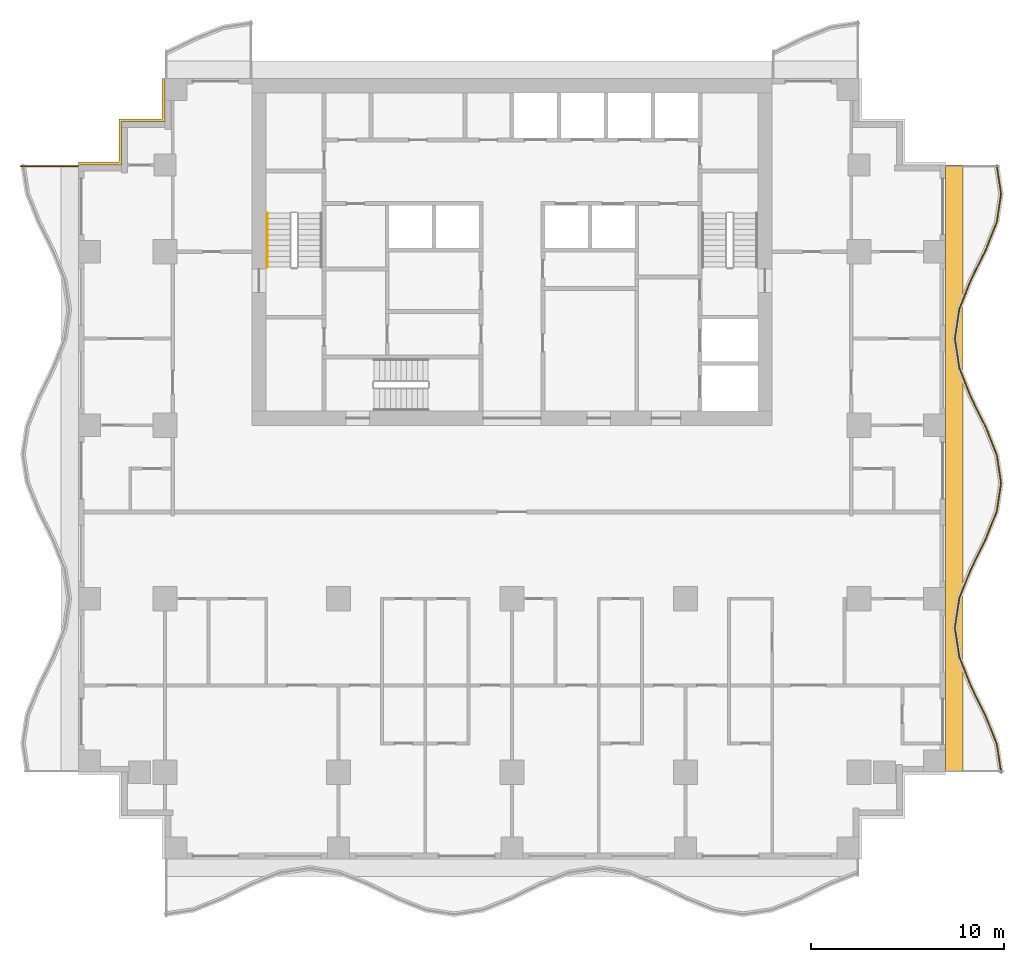
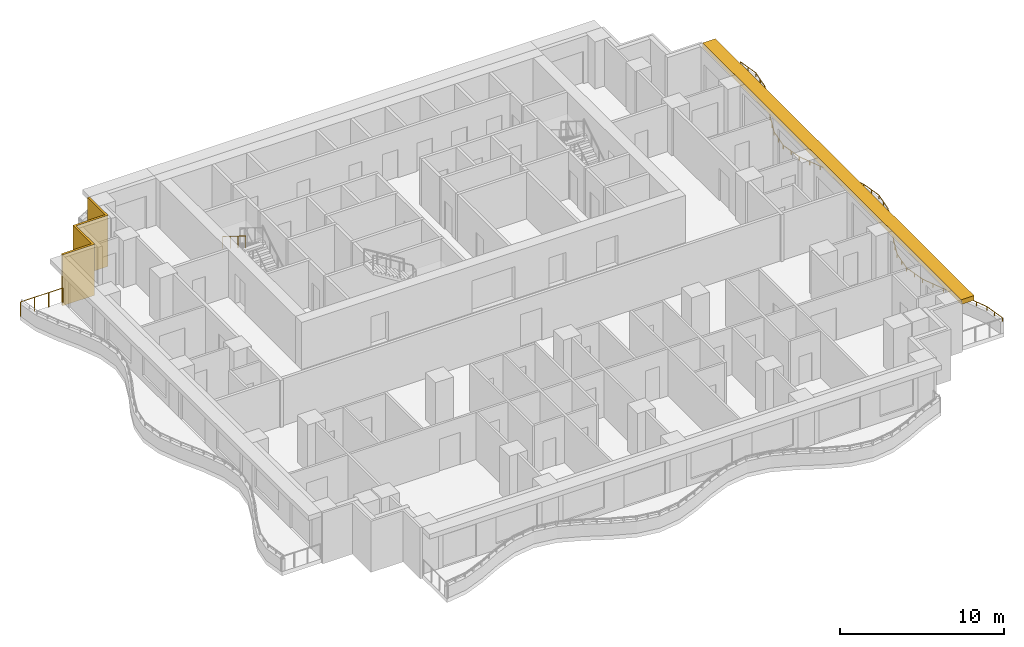
# One storey, part 9 of 10: 3 railings, 2 shading devices.
"""IFC4 building model written with IfcOpenShell, lengths in metres."""

from ifc_helpers import new_model, si_unit, direction, frame, origin, origin_2d, place, context, subcontext, project, spatial, polyline, rectangle, circle, outline, extrude, material, layer, layer_set, type_object, element, save


model = new_model("IFC4")

# Units and contexts
model_context = context("Model", 3, precision=1e-05, world=origin(), true_north=direction((0.0, 1.0)))
body_context = subcontext(model_context, "Body", "Model", "MODEL_VIEW")
ifc_project = project(units=[si_unit("LENGTHUNIT", "METRE"), si_unit("AREAUNIT", "SQUARE_METRE"), si_unit("VOLUMEUNIT", "CUBIC_METRE"), si_unit("PLANEANGLEUNIT", "RADIAN"), si_unit("MASSUNIT", "GRAM", prefix="KILO")], contexts=[model_context])

# Site, building, storey
site_placement = place(None, origin())
site = spatial("IfcSite", under=ifc_project, at=site_placement, CompositionType="ELEMENT")
building_placement = place(site_placement, origin())
building = spatial("IfcBuilding", under=site, at=building_placement, Name="Orbiselva Terraces", CompositionType="ELEMENT")
storey_placement = place(building_placement, frame((0.0, 0.0, 151.6)))
storey = spatial("IfcBuildingStorey", under=building, at=storey_placement, Name="L38", CompositionType="ELEMENT", Elevation=151.6)

# Railings
ifc_material_1 = material(Name="Stainless steel", Category="steel")
railing_type_1 = type_object("IfcRailingType", Name="CORE-HANDRAIL-900", PredefinedType="HANDRAIL", material=ifc_material_1)
railing_1_placement = place(storey_placement, frame((-12.7, 15.5, 2.072727)))
element("IfcRailing", 1, at=railing_1_placement, inside=storey, type_object=railing_type_1, Name="L38 S1 stair handrail 2", PredefinedType="HANDRAIL", context=body_context, shape_type="SweptSolid", body=[
    extrude(circle(Radius=0.024, at=origin_2d()), frame((0.0, 0.0, 0.876), z_axis=(0.0, -0.851088519012, 0.52502222125), x_axis=(1.0, 0.0, 0.0)), (0.0, 0.0, 1.0), 3.289905),
    extrude(circle(Radius=0.021, at=origin_2d()), origin(), (0.0, 0.0, 1.0), 0.852),
    extrude(circle(Radius=0.021, at=origin_2d()), frame((0.0, -0.933333, 0.575758)), (0.0, 0.0, 1.0), 0.852),
    extrude(circle(Radius=0.021, at=origin_2d()), frame((0.0, -1.866667, 1.151515)), (0.0, 0.0, 1.0), 0.852),
    extrude(circle(Radius=0.021, at=origin_2d()), frame((0.0, -2.8, 1.727273)), (0.0, 0.0, 1.0), 0.852),
])
ifc_material_2 = material(Name="Bonded two-ply safety glass balustrade, stainless steel posts", Category="steel")
railing_type_2 = type_object("IfcRailingType", Name="ENV-BALUSTRADE-1200", PredefinedType="BALUSTRADE", material=ifc_material_2)
railing_2_placement = place(storey_placement, frame((25.376434, -13.518879, 0.9)))
element("IfcRailing", 2, at=railing_2_placement, inside=storey, type_object=railing_type_2, Name="Balcony balustrade L38 E", PredefinedType="BALUSTRADE", context=body_context, shape_type="SweptSolid", body=[
    extrude(outline(polyline([(0.028868, 0.0), (0.014434, 0.025), (-0.014434, 0.025), (-0.028868, 0.0), (-0.014434, -0.025), (0.014434, -0.025), (0.028868, 0.0)])), frame((0.0, 0.0, 0.275), z_axis=(-0.151034103443, 0.988528552748, 0.0), x_axis=(-0.988528552748, -0.151034103443, 0.0)), (0.0, 0.0, 1.0), 1.503038),
    extrude(outline(polyline([(0.028868, 0.0), (0.014434, 0.025), (-0.014434, 0.025), (-0.028868, 0.0), (-0.014434, -0.025), (0.014434, -0.025), (0.028868, 0.0)])), frame((-0.22701, 1.485796, 0.275), z_axis=(-0.371391000387, 0.928476561272, 0.0), x_axis=(-0.928476561272, -0.371391000387, 0.0)), (0.0, 0.0, 1.0), 1.596261),
    extrude(outline(polyline([(0.028868, 0.0), (0.014434, 0.025), (-0.014434, 0.025), (-0.028868, 0.0), (-0.014434, -0.025), (0.014434, -0.025), (0.028868, 0.0)])), frame((-0.819847, 2.967887, 0.275), z_axis=(-0.443212307306, 0.896416672454, 0.0), x_axis=(-0.896416672454, -0.443212307306, 0.0)), (0.0, 0.0, 1.0), 1.673329),
    extrude(outline(polyline([(0.028868, 0.0), (0.014434, 0.025), (-0.014434, 0.025), (-0.028868, 0.0), (-0.014434, -0.025), (0.014434, -0.025), (0.028868, 0.0)])), frame((-1.561487, 4.467887, 0.275), z_axis=(-0.371390359967, 0.92847681744, 0.0), x_axis=(-0.92847681744, -0.371390359967, 0.0)), (0.0, 0.0, 1.0), 1.634838),
    extrude(outline(polyline([(0.028868, 0.0), (0.014434, 0.025), (-0.014434, 0.025), (-0.028868, 0.0), (-0.014434, -0.025), (0.014434, -0.025), (0.028868, 0.0)])), frame((-2.16865, 5.985796, 0.275), z_axis=(-0.151034211256, 0.988528536275, 0.0), x_axis=(-0.988528536275, -0.151034211256, 0.0)), (0.0, 0.0, 1.0), 1.550874),
    extrude(outline(polyline([(0.028868, 0.0), (0.014434, 0.025), (-0.014434, 0.025), (-0.028868, 0.0), (-0.014434, -0.025), (0.014434, -0.025), (0.028868, 0.0)])), frame((-2.402885, 7.518879, 0.275), z_axis=(0.151034211256, 0.988528536275, 0.0), x_axis=(-0.988528536275, 0.151034211256, 0.0)), (0.0, 0.0, 1.0), 1.550874),
    extrude(outline(polyline([(0.028868, 0.0), (0.014434, 0.025), (-0.014434, 0.025), (-0.028868, 0.0), (-0.014434, -0.025), (0.014434, -0.025), (0.028868, 0.0)])), frame((-2.16865, 9.051962, 0.275), z_axis=(0.371390359967, 0.92847681744, 0.0), x_axis=(-0.92847681744, 0.371390359967, 0.0)), (0.0, 0.0, 1.0), 1.634838),
    extrude(outline(polyline([(0.028868, 0.0), (0.014434, 0.025), (-0.014434, 0.025), (-0.028868, 0.0), (-0.014434, -0.025), (0.014434, -0.025), (0.028868, 0.0)])), frame((-1.561487, 10.569871, 0.275), z_axis=(0.443212307306, 0.896416672454, 0.0), x_axis=(-0.896416672454, 0.443212307306, 0.0)), (0.0, 0.0, 1.0), 1.673329),
    extrude(outline(polyline([(0.028868, 0.0), (0.014434, 0.025), (-0.014434, 0.025), (-0.028868, 0.0), (-0.014434, -0.025), (0.014434, -0.025), (0.028868, 0.0)])), frame((-0.819847, 12.069871, 0.275), z_axis=(0.371391000387, 0.928476561272, 0.0), x_axis=(-0.928476561272, 0.371391000387, 0.0)), (0.0, 0.0, 1.0), 1.596261),
    extrude(outline(polyline([(0.028868, 0.0), (0.014434, 0.025), (-0.014434, 0.025), (-0.028868, 0.0), (-0.014434, -0.025), (0.014434, -0.025), (0.028868, 0.0)])), frame((-0.22701, 13.551962, 0.275), z_axis=(0.151033749027, 0.988528606898, 0.0), x_axis=(-0.988528606898, 0.151033749027, 0.0)), (0.0, 0.0, 1.0), 1.48394),
    extrude(outline(polyline([(0.028868, 0.0), (0.014434, 0.025), (-0.014434, 0.025), (-0.028868, 0.0), (-0.014434, -0.025), (0.014434, -0.025), (0.028868, 0.0)])), frame((-0.002885, 15.018879, 0.275), z_axis=(-0.151033749027, 0.988528606898, 0.0), x_axis=(-0.988528606898, -0.151033749027, 0.0)), (0.0, 0.0, 1.0), 1.48394),
    extrude(outline(polyline([(0.028868, 0.0), (0.014434, 0.025), (-0.014434, 0.025), (-0.028868, 0.0), (-0.014434, -0.025), (0.014434, -0.025), (0.028868, 0.0)])), frame((-0.22701, 16.485796, 0.275), z_axis=(-0.371391000387, 0.928476561272, 0.0), x_axis=(-0.928476561272, -0.371391000387, 0.0)), (0.0, 0.0, 1.0), 1.596261),
    extrude(outline(polyline([(0.028868, 0.0), (0.014434, 0.025), (-0.014434, 0.025), (-0.028868, 0.0), (-0.014434, -0.025), (0.014434, -0.025), (0.028868, 0.0)])), frame((-0.819847, 17.967887, 0.275), z_axis=(-0.443212307306, 0.896416672454, 0.0), x_axis=(-0.896416672454, -0.443212307306, 0.0)), (0.0, 0.0, 1.0), 1.673329),
    extrude(outline(polyline([(0.028868, 0.0), (0.014434, 0.025), (-0.014434, 0.025), (-0.028868, 0.0), (-0.014434, -0.025), (0.014434, -0.025), (0.028868, 0.0)])), frame((-1.561487, 19.467887, 0.275), z_axis=(-0.371390359967, 0.92847681744, 0.0), x_axis=(-0.92847681744, -0.371390359967, 0.0)), (0.0, 0.0, 1.0), 1.634838),
    extrude(outline(polyline([(0.028868, 0.0), (0.014434, 0.025), (-0.014434, 0.025), (-0.028868, 0.0), (-0.014434, -0.025), (0.014434, -0.025), (0.028868, 0.0)])), frame((-2.16865, 20.985796, 0.275), z_axis=(-0.151034211256, 0.988528536275, 0.0), x_axis=(-0.988528536275, -0.151034211256, 0.0)), (0.0, 0.0, 1.0), 1.550874),
    extrude(outline(polyline([(0.028868, 0.0), (0.014434, 0.025), (-0.014434, 0.025), (-0.028868, 0.0), (-0.014434, -0.025), (0.014434, -0.025), (0.028868, 0.0)])), frame((-2.402885, 22.518879, 0.275), z_axis=(0.151034211256, 0.988528536275, 0.0), x_axis=(-0.988528536275, 0.151034211256, 0.0)), (0.0, 0.0, 1.0), 1.550874),
    extrude(outline(polyline([(0.028868, 0.0), (0.014434, 0.025), (-0.014434, 0.025), (-0.028868, 0.0), (-0.014434, -0.025), (0.014434, -0.025), (0.028868, 0.0)])), frame((-2.16865, 24.051962, 0.275), z_axis=(0.371390359967, 0.92847681744, 0.0), x_axis=(-0.92847681744, 0.371390359967, 0.0)), (0.0, 0.0, 1.0), 1.634838),
    extrude(outline(polyline([(0.028868, 0.0), (0.014434, 0.025), (-0.014434, 0.025), (-0.028868, 0.0), (-0.014434, -0.025), (0.014434, -0.025), (0.028868, 0.0)])), frame((-1.561487, 25.569871, 0.275), z_axis=(0.443212307306, 0.896416672454, 0.0), x_axis=(-0.896416672454, 0.443212307306, 0.0)), (0.0, 0.0, 1.0), 1.673329),
    extrude(outline(polyline([(0.028868, 0.0), (0.014434, 0.025), (-0.014434, 0.025), (-0.028868, 0.0), (-0.014434, -0.025), (0.014434, -0.025), (0.028868, 0.0)])), frame((-0.819847, 27.069871, 0.275), z_axis=(0.371391000387, 0.928476561272, 0.0), x_axis=(-0.928476561272, 0.371391000387, 0.0)), (0.0, 0.0, 1.0), 1.596261),
    extrude(outline(polyline([(0.028868, 0.0), (0.014434, 0.025), (-0.014434, 0.025), (-0.028868, 0.0), (-0.014434, -0.025), (0.014434, -0.025), (0.028868, 0.0)])), frame((-0.22701, 28.551962, 0.275), z_axis=(0.151033749027, 0.988528606898, 0.0), x_axis=(-0.988528606898, 0.151033749027, 0.0)), (0.0, 0.0, 1.0), 1.48394),
    extrude(outline(polyline([(0.028868, 0.0), (0.014434, 0.025), (-0.014434, 0.025), (-0.028868, 0.0), (-0.014434, -0.025), (0.014434, -0.025), (0.028868, 0.0)])), frame((-0.002885, 30.018879, 0.275), z_axis=(-0.151033632714, 0.988528624669, 0.0), x_axis=(-0.988528624669, -0.151033632714, 0.0)), (0.0, 0.0, 1.0), 1.498309),
    extrude(rectangle(XDim=0.05, YDim=0.05, at=origin_2d()), origin(), (0.0, 0.0, 1.0), 0.25),
    extrude(rectangle(XDim=0.05, YDim=0.05, at=origin_2d()), frame((-0.113505, 0.742898, 0.0)), (0.0, 0.0, 1.0), 0.25),
    extrude(rectangle(XDim=0.05, YDim=0.05, at=origin_2d()), frame((-0.22701, 1.485796, 0.0)), (0.0, 0.0, 1.0), 0.25),
    extrude(rectangle(XDim=0.05, YDim=0.05, at=origin_2d()), frame((-0.523428, 2.226842, 0.0)), (0.0, 0.0, 1.0), 0.25),
    extrude(rectangle(XDim=0.05, YDim=0.05, at=origin_2d()), frame((-0.819847, 2.967887, 0.0)), (0.0, 0.0, 1.0), 0.25),
    extrude(rectangle(XDim=0.05, YDim=0.05, at=origin_2d()), frame((-1.190667, 3.717887, 0.0)), (0.0, 0.0, 1.0), 0.25),
    extrude(rectangle(XDim=0.05, YDim=0.05, at=origin_2d()), frame((-1.561487, 4.467887, 0.0)), (0.0, 0.0, 1.0), 0.25),
    extrude(rectangle(XDim=0.05, YDim=0.05, at=origin_2d()), frame((-1.865068, 5.226841, 0.0)), (0.0, 0.0, 1.0), 0.25),
    extrude(rectangle(XDim=0.05, YDim=0.05, at=origin_2d()), frame((-2.16865, 5.985796, 0.0)), (0.0, 0.0, 1.0), 0.25),
    extrude(rectangle(XDim=0.05, YDim=0.05, at=origin_2d()), frame((-2.285768, 6.752337, 0.0)), (0.0, 0.0, 1.0), 0.25),
    extrude(rectangle(XDim=0.05, YDim=0.05, at=origin_2d()), frame((-2.402885, 7.518879, 0.0)), (0.0, 0.0, 1.0), 0.25),
    extrude(rectangle(XDim=0.05, YDim=0.05, at=origin_2d()), frame((-2.285768, 8.285421, 0.0)), (0.0, 0.0, 1.0), 0.25),
    extrude(rectangle(XDim=0.05, YDim=0.05, at=origin_2d()), frame((-2.16865, 9.051962, 0.0)), (0.0, 0.0, 1.0), 0.25),
    extrude(rectangle(XDim=0.05, YDim=0.05, at=origin_2d()), frame((-1.865068, 9.810916, 0.0)), (0.0, 0.0, 1.0), 0.25),
    extrude(rectangle(XDim=0.05, YDim=0.05, at=origin_2d()), frame((-1.561487, 10.569871, 0.0)), (0.0, 0.0, 1.0), 0.25),
    extrude(rectangle(XDim=0.05, YDim=0.05, at=origin_2d()), frame((-1.190667, 11.319871, 0.0)), (0.0, 0.0, 1.0), 0.25),
    extrude(rectangle(XDim=0.05, YDim=0.05, at=origin_2d()), frame((-0.819847, 12.069871, 0.0)), (0.0, 0.0, 1.0), 0.25),
    extrude(rectangle(XDim=0.05, YDim=0.05, at=origin_2d()), frame((-0.523428, 12.810916, 0.0)), (0.0, 0.0, 1.0), 0.25),
    extrude(rectangle(XDim=0.05, YDim=0.05, at=origin_2d()), frame((-0.22701, 13.551962, 0.0)), (0.0, 0.0, 1.0), 0.25),
    extrude(rectangle(XDim=0.05, YDim=0.05, at=origin_2d()), frame((-0.114947, 14.28542, 0.0)), (0.0, 0.0, 1.0), 0.25),
    extrude(rectangle(XDim=0.05, YDim=0.05, at=origin_2d()), frame((-0.002885, 15.018879, 0.0)), (0.0, 0.0, 1.0), 0.25),
    extrude(rectangle(XDim=0.05, YDim=0.05, at=origin_2d()), frame((-0.114947, 15.752338, 0.0)), (0.0, 0.0, 1.0), 0.25),
    extrude(rectangle(XDim=0.05, YDim=0.05, at=origin_2d()), frame((-0.22701, 16.485796, 0.0)), (0.0, 0.0, 1.0), 0.25),
    extrude(rectangle(XDim=0.05, YDim=0.05, at=origin_2d()), frame((-0.523428, 17.226842, 0.0)), (0.0, 0.0, 1.0), 0.25),
    extrude(rectangle(XDim=0.05, YDim=0.05, at=origin_2d()), frame((-0.819847, 17.967887, 0.0)), (0.0, 0.0, 1.0), 0.25),
    extrude(rectangle(XDim=0.05, YDim=0.05, at=origin_2d()), frame((-1.190667, 18.717887, 0.0)), (0.0, 0.0, 1.0), 0.25),
    extrude(rectangle(XDim=0.05, YDim=0.05, at=origin_2d()), frame((-1.561487, 19.467887, 0.0)), (0.0, 0.0, 1.0), 0.25),
    extrude(rectangle(XDim=0.05, YDim=0.05, at=origin_2d()), frame((-1.865068, 20.226842, 0.0)), (0.0, 0.0, 1.0), 0.25),
    extrude(rectangle(XDim=0.05, YDim=0.05, at=origin_2d()), frame((-2.16865, 20.985796, 0.0)), (0.0, 0.0, 1.0), 0.25),
    extrude(rectangle(XDim=0.05, YDim=0.05, at=origin_2d()), frame((-2.285768, 21.752338, 0.0)), (0.0, 0.0, 1.0), 0.25),
    extrude(rectangle(XDim=0.05, YDim=0.05, at=origin_2d()), frame((-2.402885, 22.518879, 0.0)), (0.0, 0.0, 1.0), 0.25),
    extrude(rectangle(XDim=0.05, YDim=0.05, at=origin_2d()), frame((-2.285768, 23.28542, 0.0)), (0.0, 0.0, 1.0), 0.25),
    extrude(rectangle(XDim=0.05, YDim=0.05, at=origin_2d()), frame((-2.16865, 24.051962, 0.0)), (0.0, 0.0, 1.0), 0.25),
    extrude(rectangle(XDim=0.05, YDim=0.05, at=origin_2d()), frame((-1.865068, 24.810916, 0.0)), (0.0, 0.0, 1.0), 0.25),
    extrude(rectangle(XDim=0.05, YDim=0.05, at=origin_2d()), frame((-1.561487, 25.569871, 0.0)), (0.0, 0.0, 1.0), 0.25),
    extrude(rectangle(XDim=0.05, YDim=0.05, at=origin_2d()), frame((-1.190667, 26.319871, 0.0)), (0.0, 0.0, 1.0), 0.25),
    extrude(rectangle(XDim=0.05, YDim=0.05, at=origin_2d()), frame((-0.819847, 27.069871, 0.0)), (0.0, 0.0, 1.0), 0.25),
    extrude(rectangle(XDim=0.05, YDim=0.05, at=origin_2d()), frame((-0.523428, 27.810916, 0.0)), (0.0, 0.0, 1.0), 0.25),
    extrude(rectangle(XDim=0.05, YDim=0.05, at=origin_2d()), frame((-0.22701, 28.551962, 0.0)), (0.0, 0.0, 1.0), 0.25),
    extrude(rectangle(XDim=0.05, YDim=0.05, at=origin_2d()), frame((-0.114947, 29.28542, 0.0)), (0.0, 0.0, 1.0), 0.25),
    extrude(rectangle(XDim=0.05, YDim=0.05, at=origin_2d()), frame((-0.002885, 30.018879, 0.0)), (0.0, 0.0, 1.0), 0.25),
    extrude(rectangle(XDim=0.05, YDim=0.05, at=origin_2d()), frame((-0.116032, 30.75944, 0.0)), (0.0, 0.0, 1.0), 0.25),
    extrude(rectangle(XDim=0.05, YDim=0.05, at=origin_2d()), frame((-0.22918, 31.5, 0.0)), (0.0, 0.0, 1.0), 0.25),
])
ifc_material_3 = material(Name="Stainless steel rail and posts", Category="steel")
railing_type_3 = type_object("IfcRailingType", Name="ENV-GUARD-1105", PredefinedType="BALUSTRADE", material=ifc_material_3)
railing_3_placement = place(storey_placement, frame((-25.499621, 17.94, 0.0)))
element("IfcRailing", 3, at=railing_3_placement, inside=storey, type_object=railing_type_3, Name="Balcony end guard L38 W", PredefinedType="BALUSTRADE", context=body_context, shape_type="SweptSolid", body=[
    extrude(outline(polyline([(0.028868, 0.0), (0.014434, 0.025), (-0.014434, 0.025), (-0.028868, 0.0), (-0.014434, -0.025), (0.014434, -0.025), (0.028868, 0.0)])), frame((0.0, 0.0, 1.08), z_axis=(1.0, 0.0, 0.0), x_axis=(0.0, 1.0, 0.0)), (0.0, 0.0, 1.0), 2.974621),
    extrude(rectangle(XDim=0.05, YDim=0.05, at=origin_2d()), origin(), (0.0, 0.0, 1.0), 1.055),
    extrude(rectangle(XDim=0.05, YDim=0.05, at=origin_2d()), frame((0.99154, 0.0, 0.0)), (0.0, 0.0, 1.0), 1.055),
    extrude(rectangle(XDim=0.05, YDim=0.05, at=origin_2d()), frame((1.983081, 0.0, 0.0)), (0.0, 0.0, 1.0), 1.055),
    extrude(rectangle(XDim=0.05, YDim=0.05, at=origin_2d()), frame((2.974621, 0.0, 0.0)), (0.0, 0.0, 1.0), 1.055),
])

# Shading devices
ifc_material_4 = material(Name="Terracotta louvre screen", Category="masonry")
ifc_layer_1 = layer(ifc_material_4, 0.15)
ifc_layer_set_1 = layer_set([ifc_layer_1], Name="Terracotta louvre screen")
shading_device_type_1 = type_object("IfcShadingDeviceType", Name="ENV-SCREEN-150", PredefinedType="USERDEFINED", material=ifc_layer_set_1)
shading_device_1_placement = place(storey_placement, frame((0.0, 0.0, -0.3)))
element("IfcShadingDevice", 4, at=shading_device_1_placement, inside=storey, type_object=shading_device_type_1, Name="Louvre screen L38 NW", ObjectType="SCREEN", PredefinedType="USERDEFINED", context=body_context, shape_type="SweptSolid", body=[
    extrude(outline(polyline([(-18.15, 22.5), (-18.15, 20.4), (-20.4, 20.4), (-20.4, 18.15), (-22.5, 18.15), (-22.5, 18.0), (-20.25, 18.0), (-20.25, 20.25), (-18.0, 20.25), (-18.0, 22.5), (-18.15, 22.5)])), origin(), (0.0, 0.0, 1.0), 3.8),
])
ifc_material_5 = material(Name="Terracotta baguette sunshade", Category="masonry")
ifc_layer_2 = layer(ifc_material_5, 0.35)
ifc_layer_set_2 = layer_set([ifc_layer_2], Name="Terracotta baguette sunshade")
shading_device_type_2 = type_object("IfcShadingDeviceType", Name="ENV-SUNSHADE-900x350", PredefinedType="USERDEFINED", material=ifc_layer_set_2)
shading_device_2_placement = place(storey_placement, frame((0.0, 0.0, 3.15)))
element("IfcShadingDevice", 5, at=shading_device_2_placement, inside=storey, type_object=shading_device_type_2, Name="Sunshade band L38 E", ObjectType="SUNSHADE", PredefinedType="USERDEFINED", context=body_context, shape_type="SweptSolid", body=[
    extrude(outline(polyline([(23.4, -13.5), (23.4, 18.0), (22.5, 18.0), (22.5, -13.5), (23.4, -13.5)])), origin(), (0.0, 0.0, 1.0), 0.35),
])

save(model, "model.ifc")
